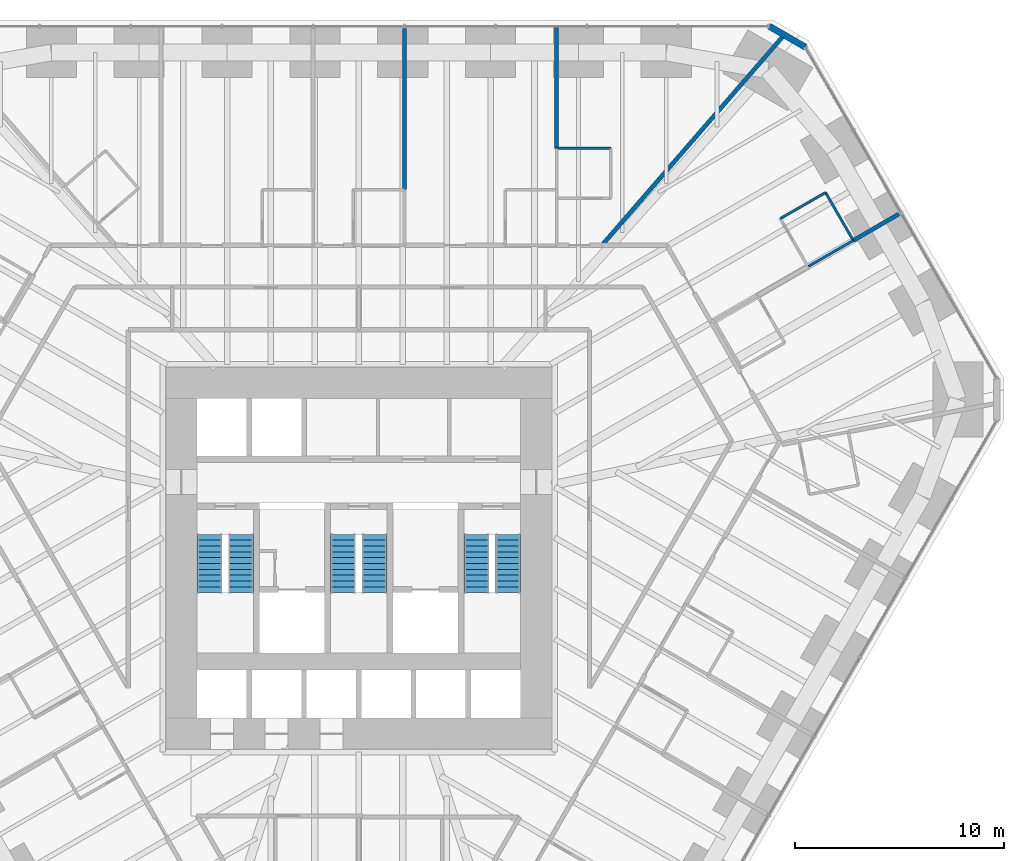
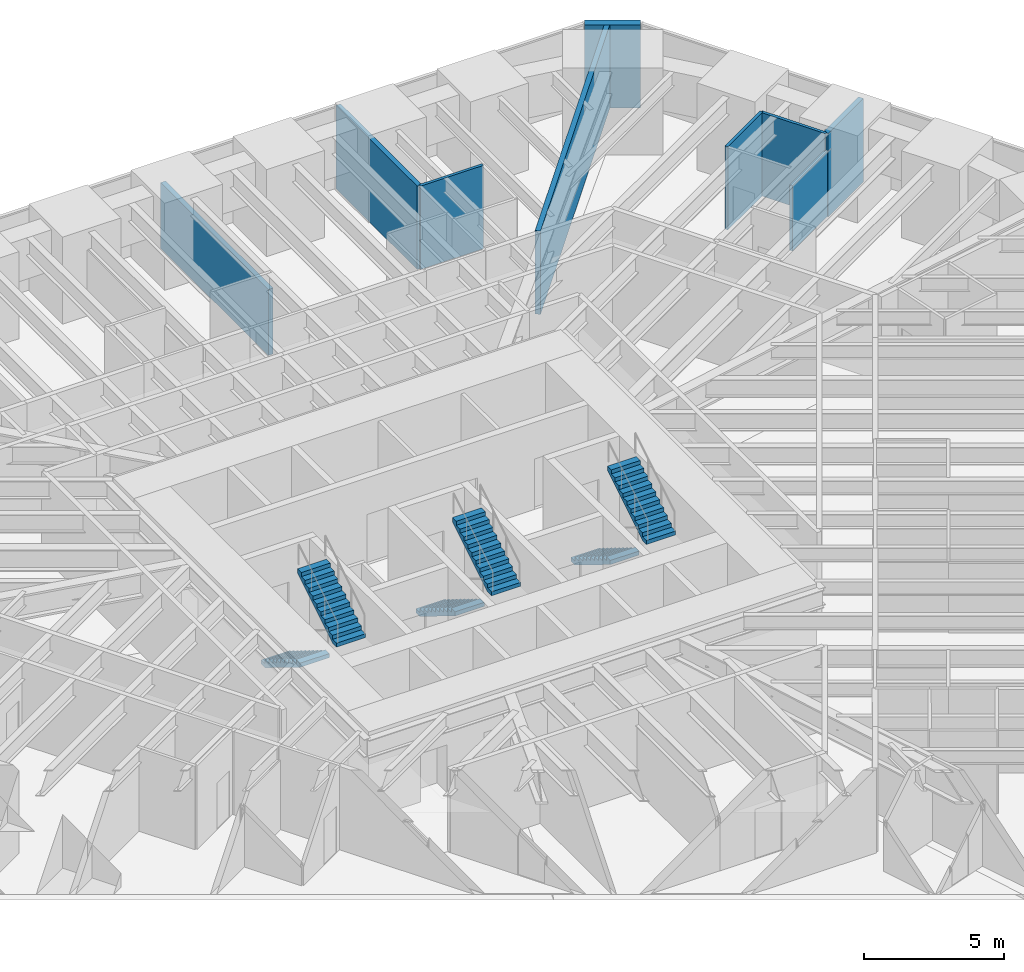
# One storey, part 16 of 17: 9 walls, 6 stair flights, 3 elements without a shape of their own.
"""IFC4 building model written with IfcOpenShell, lengths in metres."""

from ifc_helpers import new_model, si_unit, direction, frame, frame_2d, origin, place, context, subcontext, project, spatial, polyline, rectangle, outline, extrude, material, layer, layer_set, type_object, element, aggregate, save


model = new_model("IFC4")

# Units and contexts
model_context = context("Model", 3, precision=1e-05, world=origin(), true_north=direction((0.0, 1.0)))
body_context = subcontext(model_context, "Body", "Model", "MODEL_VIEW")
ifc_project = project(units=[si_unit("LENGTHUNIT", "METRE"), si_unit("AREAUNIT", "SQUARE_METRE"), si_unit("VOLUMEUNIT", "CUBIC_METRE"), si_unit("PLANEANGLEUNIT", "RADIAN"), si_unit("MASSUNIT", "GRAM", prefix="KILO")], contexts=[model_context])

# Site, building, storey
site_placement = place(None, origin())
site = spatial("IfcSite", under=ifc_project, at=site_placement, CompositionType="ELEMENT")
building_placement = place(site_placement, origin())
building = spatial("IfcBuilding", under=site, at=building_placement, Name="Sandreach Pilgrim Tower", CompositionType="ELEMENT")
storey_placement = place(building_placement, frame((0.0, 0.0, 30.60009765625)))
storey = spatial("IfcBuildingStorey", under=building, at=storey_placement, Name="L06", CompositionType="ELEMENT", Elevation=30.60009765625)

# Walls
ifc_material_1 = material(Name="Moisture-resistant gypsum board on steel studs", Category="steel")
ifc_layer_1 = layer(ifc_material_1, 0.1201171875)
ifc_layer_set_1 = layer_set([ifc_layer_1], Name="Bathroom partition 120")
wall_type_1 = type_object("IfcWallType", Name="Bathroom partition 120", PredefinedType="PARTITIONING", material=ifc_layer_set_1)
wall_1_placement = place(storey_placement, frame((12.080078125, 18.10009765625, 0.0), z_axis=(0.0, 0.0, 1.0), x_axis=(-1.0, 0.0, 0.0)))
element("IfcWall", 1, at=wall_1_placement, inside=storey, type_object=wall_type_1, Name="Bathroom partition L06-133", PredefinedType="PARTITIONING", context=body_context, shape_type="SweptSolid", body=[
    extrude(rectangle(XDim=2.60009765625, YDim=0.1201171875, at=frame_2d((1.300048828125, 0.0))), origin(), (0.0, 0.0, 1.0), 3.639892578125),
])
wall_2_placement = place(storey_placement, frame((21.550048828125, 12.43994140625, 0.0), z_axis=(0.0, 0.0, 1.0), x_axis=(0.866244536399, 0.499620258956, 0.0)))
element("IfcWall", 2, at=wall_2_placement, inside=storey, type_object=wall_type_1, Name="Bathroom partition L06-163", PredefinedType="PARTITIONING", context=body_context, shape_type="SweptSolid", body=[
    extrude(rectangle(XDim=2.48193359375, YDim=0.1201171875, at=frame_2d((1.240966796875, 0.0))), origin(), (0.0, 0.0, 1.0), 2.860107421875),
])
wall_3_placement = place(storey_placement, frame((22.3701171875, 15.97998046875, 0.0), z_axis=(0.0, 0.0, 1.0), x_axis=(-0.86653430447, -0.499117520406, 0.0)))
element("IfcWall", 3, at=wall_3_placement, inside=storey, type_object=wall_type_1, Name="Bathroom partition L06-165", PredefinedType="PARTITIONING", context=body_context, shape_type="SweptSolid", body=[
    extrude(rectangle(XDim=2.50439453125, YDim=0.1201171875, at=frame_2d((1.252197265625, 0.0))), origin(), (0.0, 0.0, 1.0), 3.639892578125),
])
wall_4_placement = place(storey_placement, frame((23.699951171875, 13.679931640625, 0.0), z_axis=(0.0, 0.0, 1.0), x_axis=(-0.500605174168, 0.865675724273, 0.0)))
element("IfcWall", 4, at=wall_4_placement, inside=storey, type_object=wall_type_1, Name="Bathroom partition L06-167", PredefinedType="PARTITIONING", context=body_context, shape_type="SweptSolid", body=[
    extrude(rectangle(XDim=2.656982421875, YDim=0.1201171875, at=frame_2d((1.32861328125, 0.0))), origin(), (0.0, 0.0, 1.0), 3.639892578125),
])
ifc_material_2 = material(Name="Double steel stud acoustic wall, gypsum board", Category="steel")
ifc_layer_2 = layer(ifc_material_2, 0.199951171875)
ifc_layer_set_2 = layer_set([ifc_layer_2], Name="Party wall 200")
wall_type_2 = type_object("IfcWallType", Name="Party wall 200", PredefinedType="PARTITIONING", material=ifc_layer_set_2)
wall_5_placement = place(storey_placement, frame((2.18994140625, 23.830078125, 0.0), z_axis=(0.0, 0.0, 1.0), x_axis=(0.0, -1.0, 0.0)))
element("IfcWall", 5, at=wall_5_placement, inside=storey, type_object=wall_type_2, Name="Party wall L06-092", PredefinedType="PARTITIONING", context=body_context, shape_type="SweptSolid", body=[
    extrude(rectangle(XDim=7.7099609375, YDim=0.199951171875, at=frame_2d((3.85498046875, 0.0))), origin(), (0.0, 0.0, 1.0), 2.8779296875),
])
wall_6_placement = place(storey_placement, frame((9.47998046875, 23.919921875, 0.0), z_axis=(0.0, 0.0, 1.0), x_axis=(0.0, -1.0, 0.0)))
element("IfcWall", 6, at=wall_6_placement, inside=storey, type_object=wall_type_2, Name="Party wall L06-121", PredefinedType="PARTITIONING", context=body_context, shape_type="SweptSolid", body=[
    extrude(rectangle(XDim=5.81982421875, YDim=0.199951171875, at=frame_2d((2.909912109375, 0.0))), origin(), (0.0, 0.0, 1.0), 3.639892578125),
])
wall_7_placement = place(storey_placement, frame((20.400390625, 23.54736328125, 0.0), z_axis=(0.0, 0.0, 1.0), x_axis=(-0.654899675326, -0.7557158297, 0.0)))
element("IfcWall", 7, at=wall_7_placement, inside=storey, type_object=wall_type_2, Name="Party wall L06-159", PredefinedType="PARTITIONING", context=body_context, shape_type="SweptSolid", body=[
    extrude(rectangle(XDim=13.251220703125, YDim=0.199951171875, at=frame_2d((6.62548828125, 0.0))), origin(), (0.0, 0.0, 1.0), 3.639892578125),
])
wall_8_placement = place(storey_placement, frame((23.699951171875, 13.679931640625, 0.0), z_axis=(0.0, 0.0, 1.0), x_axis=(0.864733482606, 0.502231026581, 0.0)))
element("IfcWall", 8, at=wall_8_placement, inside=storey, type_object=wall_type_2, Name="Party wall L06-168", PredefinedType="PARTITIONING", context=body_context, shape_type="SweptSolid", body=[
    extrude(rectangle(XDim=2.5283203125, YDim=0.199951171875, at=frame_2d((1.26416015625, 0.0))), origin(), (0.0, 0.0, 1.0), 3.639892578125),
])
ifc_material_3 = material(Name="Terracotta rainscreen on concrete", Category="masonry")
ifc_layer_3 = layer(ifc_material_3, 0.300048828125)
ifc_layer_set_3 = layer_set([ifc_layer_3], Name="Terracotta chamfer pier")
wall_type_3 = type_object("IfcWallType", Name="Terracotta chamfer pier", PredefinedType="SOLIDWALL", material=ifc_layer_set_3)
wall_9_placement = place(storey_placement, frame((19.672119140625, 23.94873046875, 0.0), z_axis=(0.0, 0.0, 1.0), x_axis=(0.866010750942, -0.50002537861, 0.0)))
element("IfcWall", 9, at=wall_9_placement, inside=storey, type_object=wall_type_3, Name="Chamfer pier L06 N", PredefinedType="SOLIDWALL", context=body_context, shape_type="SweptSolid", body=[
    extrude(rectangle(XDim=2.0, YDim=0.300048828125, at=frame_2d((1.0, 0.0))), origin(), (0.0, 0.0, 1.0), 3.639892578125),
])

# Stair, stair flights
ifc_material_4 = material(Name="Concrete 8000 psi", Category="concrete")
stair_type = type_object("IfcStairType", Name="Core exit stair", PredefinedType="HALF_TURN_STAIR", material=ifc_material_4)
stair_1_placement = place(storey_placement, origin())
stair_1 = element("IfcStair", 10, at=stair_1_placement, inside=storey, type_object=stair_type, Name="Exit stair ST1 L06", PredefinedType="HALF_TURN_STAIR")
ifc_material_5 = material(Name="Concrete 8000 psi", Category="concrete")
stair_flight_type = type_object("IfcStairFlightType", Name="Core stair flight 1200", PredefinedType="STRAIGHT", material=ifc_material_5)
stair_flight_1_placement = place(storey_placement, frame((-7.14990234375, -0.39990234375, 0.0), z_axis=(0.0, 0.0, 1.0), x_axis=(0.0, -1.0, 0.0)))
stair_flight_1 = element("IfcStairFlight", 11, at=stair_flight_1_placement, type_object=stair_flight_type, Name="ST1 flight 1", NumberOfRisers=11, NumberOfTreads=10, PredefinedType="STRAIGHT", RiserHeight=0.172727273, TreadLength=0.28, context=body_context, shape_type="SweptSolid", body=[
    extrude(outline(polyline([(0.0, 0.0), (0.0, 0.172607421875), (0.280029296875, 0.172607421875), (0.280029296875, 0.345458984375), (0.56005859375, 0.345458984375), (0.56005859375, 0.51806640625), (0.840087890625, 0.51806640625), (0.840087890625, 0.69091796875), (1.1201171875, 0.69091796875), (1.1201171875, 0.863525390625), (1.39990234375, 0.863525390625), (1.39990234375, 1.036376953125), (1.679931640625, 1.036376953125), (1.679931640625, 1.208984375), (1.9599609375, 1.208984375), (1.9599609375, 1.3818359375), (2.239990234375, 1.3818359375), (2.239990234375, 1.554443359375), (2.52001953125, 1.554443359375), (2.52001953125, 1.727294921875), (2.800048828125, 1.727294921875), (2.800048828125, 1.89990234375), (2.800048828125, 1.551025390625), (0.285400390625, 0.0), (0.0, 0.0)])), frame((0.0, 0.60009765625, 0.0), z_axis=(0.0, -1.0, 0.0), x_axis=(1.0, 0.0, 0.0)), (0.0, 0.0, 1.0), 1.199951171875),
])
stair_flight_2_placement = place(storey_placement, frame((-5.64990234375, -3.199951171875, 1.89990234375), z_axis=(0.0, 0.0, 1.0), x_axis=(0.0, 1.0, 0.0)))
stair_flight_2 = element("IfcStairFlight", 12, at=stair_flight_2_placement, type_object=stair_flight_type, Name="ST1 flight 2", NumberOfRisers=11, NumberOfTreads=10, PredefinedType="STRAIGHT", RiserHeight=0.172727273, TreadLength=0.28, context=body_context, shape_type="SweptSolid", body=[
    extrude(outline(polyline([(0.0, 0.0), (0.0, 0.172607421875), (0.280029296875, 0.172607421875), (0.280029296875, 0.345458984375), (0.56005859375, 0.345458984375), (0.56005859375, 0.51806640625), (0.840087890625, 0.51806640625), (0.840087890625, 0.69091796875), (1.1201171875, 0.69091796875), (1.1201171875, 0.863525390625), (1.39990234375, 0.863525390625), (1.39990234375, 1.036376953125), (1.679931640625, 1.036376953125), (1.679931640625, 1.208984375), (1.9599609375, 1.208984375), (1.9599609375, 1.3818359375), (2.239990234375, 1.3818359375), (2.239990234375, 1.554443359375), (2.52001953125, 1.554443359375), (2.52001953125, 1.727294921875), (2.800048828125, 1.727294921875), (2.800048828125, 1.89990234375), (2.800048828125, 1.551025390625), (0.285400390625, 0.0), (0.0, 0.0)])), frame((0.0, 0.60009765625, 0.0), z_axis=(0.0, -1.0, 0.0), x_axis=(1.0, 0.0, 0.0)), (0.0, 0.0, 1.0), 1.199951171875),
])
aggregate(stair_1, [stair_flight_1, stair_flight_2])

stair_2_placement = place(storey_placement, origin())
stair_2 = element("IfcStair", 13, at=stair_2_placement, inside=storey, type_object=stair_type, Name="Exit stair ST3 L06", PredefinedType="HALF_TURN_STAIR")
stair_flight_3_placement = place(storey_placement, frame((-0.75, -0.39990234375, 0.0), z_axis=(0.0, 0.0, 1.0), x_axis=(0.0, -1.0, 0.0)))
stair_flight_3 = element("IfcStairFlight", 14, at=stair_flight_3_placement, type_object=stair_flight_type, Name="ST3 flight 1", NumberOfRisers=11, NumberOfTreads=10, PredefinedType="STRAIGHT", RiserHeight=0.172727273, TreadLength=0.28, context=body_context, shape_type="SweptSolid", body=[
    extrude(outline(polyline([(0.0, 0.0), (0.0, 0.172607421875), (0.280029296875, 0.172607421875), (0.280029296875, 0.345458984375), (0.56005859375, 0.345458984375), (0.56005859375, 0.51806640625), (0.840087890625, 0.51806640625), (0.840087890625, 0.69091796875), (1.1201171875, 0.69091796875), (1.1201171875, 0.863525390625), (1.39990234375, 0.863525390625), (1.39990234375, 1.036376953125), (1.679931640625, 1.036376953125), (1.679931640625, 1.208984375), (1.9599609375, 1.208984375), (1.9599609375, 1.3818359375), (2.239990234375, 1.3818359375), (2.239990234375, 1.554443359375), (2.52001953125, 1.554443359375), (2.52001953125, 1.727294921875), (2.800048828125, 1.727294921875), (2.800048828125, 1.89990234375), (2.800048828125, 1.551025390625), (0.285400390625, 0.0), (0.0, 0.0)])), frame((0.0, 0.60009765625, 0.0), z_axis=(0.0, -1.0, 0.0), x_axis=(1.0, 0.0, 0.0)), (0.0, 0.0, 1.0), 1.199951171875),
])
stair_flight_4_placement = place(storey_placement, frame((0.75, -3.199951171875, 1.89990234375), z_axis=(0.0, 0.0, 1.0), x_axis=(0.0, 1.0, 0.0)))
stair_flight_4 = element("IfcStairFlight", 15, at=stair_flight_4_placement, type_object=stair_flight_type, Name="ST3 flight 2", NumberOfRisers=11, NumberOfTreads=10, PredefinedType="STRAIGHT", RiserHeight=0.172727273, TreadLength=0.28, context=body_context, shape_type="SweptSolid", body=[
    extrude(outline(polyline([(0.0, 0.0), (0.0, 0.172607421875), (0.280029296875, 0.172607421875), (0.280029296875, 0.345458984375), (0.56005859375, 0.345458984375), (0.56005859375, 0.51806640625), (0.840087890625, 0.51806640625), (0.840087890625, 0.69091796875), (1.1201171875, 0.69091796875), (1.1201171875, 0.863525390625), (1.39990234375, 0.863525390625), (1.39990234375, 1.036376953125), (1.679931640625, 1.036376953125), (1.679931640625, 1.208984375), (1.9599609375, 1.208984375), (1.9599609375, 1.3818359375), (2.239990234375, 1.3818359375), (2.239990234375, 1.554443359375), (2.52001953125, 1.554443359375), (2.52001953125, 1.727294921875), (2.800048828125, 1.727294921875), (2.800048828125, 1.89990234375), (2.800048828125, 1.551025390625), (0.285400390625, 0.0), (0.0, 0.0)])), frame((0.0, 0.60009765625, 0.0), z_axis=(0.0, -1.0, 0.0), x_axis=(1.0, 0.0, 0.0)), (0.0, 0.0, 1.0), 1.199951171875),
])
aggregate(stair_2, [stair_flight_3, stair_flight_4])

stair_3_placement = place(storey_placement, origin())
stair_3 = element("IfcStair", 16, at=stair_3_placement, inside=storey, type_object=stair_type, Name="Exit stair ST2 L06", PredefinedType="HALF_TURN_STAIR")
stair_flight_5_placement = place(storey_placement, frame((5.64990234375, -0.39990234375, 0.0), z_axis=(0.0, 0.0, 1.0), x_axis=(0.0, -1.0, 0.0)))
stair_flight_5 = element("IfcStairFlight", 17, at=stair_flight_5_placement, type_object=stair_flight_type, Name="ST2 flight 1", NumberOfRisers=11, NumberOfTreads=10, PredefinedType="STRAIGHT", RiserHeight=0.172727273, TreadLength=0.28, context=body_context, shape_type="SweptSolid", body=[
    extrude(outline(polyline([(0.0, 0.0), (0.0, 0.172607421875), (0.280029296875, 0.172607421875), (0.280029296875, 0.345458984375), (0.56005859375, 0.345458984375), (0.56005859375, 0.51806640625), (0.840087890625, 0.51806640625), (0.840087890625, 0.69091796875), (1.1201171875, 0.69091796875), (1.1201171875, 0.863525390625), (1.39990234375, 0.863525390625), (1.39990234375, 1.036376953125), (1.679931640625, 1.036376953125), (1.679931640625, 1.208984375), (1.9599609375, 1.208984375), (1.9599609375, 1.3818359375), (2.239990234375, 1.3818359375), (2.239990234375, 1.554443359375), (2.52001953125, 1.554443359375), (2.52001953125, 1.727294921875), (2.800048828125, 1.727294921875), (2.800048828125, 1.89990234375), (2.800048828125, 1.551025390625), (0.285400390625, 0.0), (0.0, 0.0)])), frame((0.0, 0.60009765625, 0.0), z_axis=(0.0, -1.0, 0.0), x_axis=(1.0, 0.0, 0.0)), (0.0, 0.0, 1.0), 1.199951171875),
])
stair_flight_6_placement = place(storey_placement, frame((7.14990234375, -3.199951171875, 1.89990234375), z_axis=(0.0, 0.0, 1.0), x_axis=(0.0, 1.0, 0.0)))
stair_flight_6 = element("IfcStairFlight", 18, at=stair_flight_6_placement, type_object=stair_flight_type, Name="ST2 flight 2", NumberOfRisers=11, NumberOfTreads=10, PredefinedType="STRAIGHT", RiserHeight=0.172727273, TreadLength=0.28, context=body_context, shape_type="SweptSolid", body=[
    extrude(outline(polyline([(0.0, 0.0), (0.0, 0.172607421875), (0.280029296875, 0.172607421875), (0.280029296875, 0.345458984375), (0.56005859375, 0.345458984375), (0.56005859375, 0.51806640625), (0.840087890625, 0.51806640625), (0.840087890625, 0.69091796875), (1.1201171875, 0.69091796875), (1.1201171875, 0.863525390625), (1.39990234375, 0.863525390625), (1.39990234375, 1.036376953125), (1.679931640625, 1.036376953125), (1.679931640625, 1.208984375), (1.9599609375, 1.208984375), (1.9599609375, 1.3818359375), (2.239990234375, 1.3818359375), (2.239990234375, 1.554443359375), (2.52001953125, 1.554443359375), (2.52001953125, 1.727294921875), (2.800048828125, 1.727294921875), (2.800048828125, 1.89990234375), (2.800048828125, 1.551025390625), (0.285400390625, 0.0), (0.0, 0.0)])), frame((0.0, 0.60009765625, 0.0), z_axis=(0.0, -1.0, 0.0), x_axis=(1.0, 0.0, 0.0)), (0.0, 0.0, 1.0), 1.199951171875),
])
aggregate(stair_3, [stair_flight_5, stair_flight_6])

save(model, "model.ifc")
